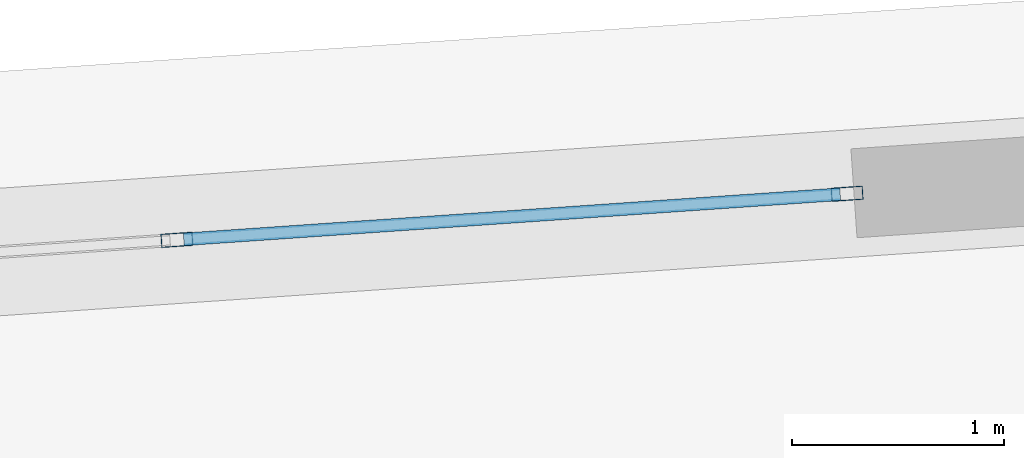
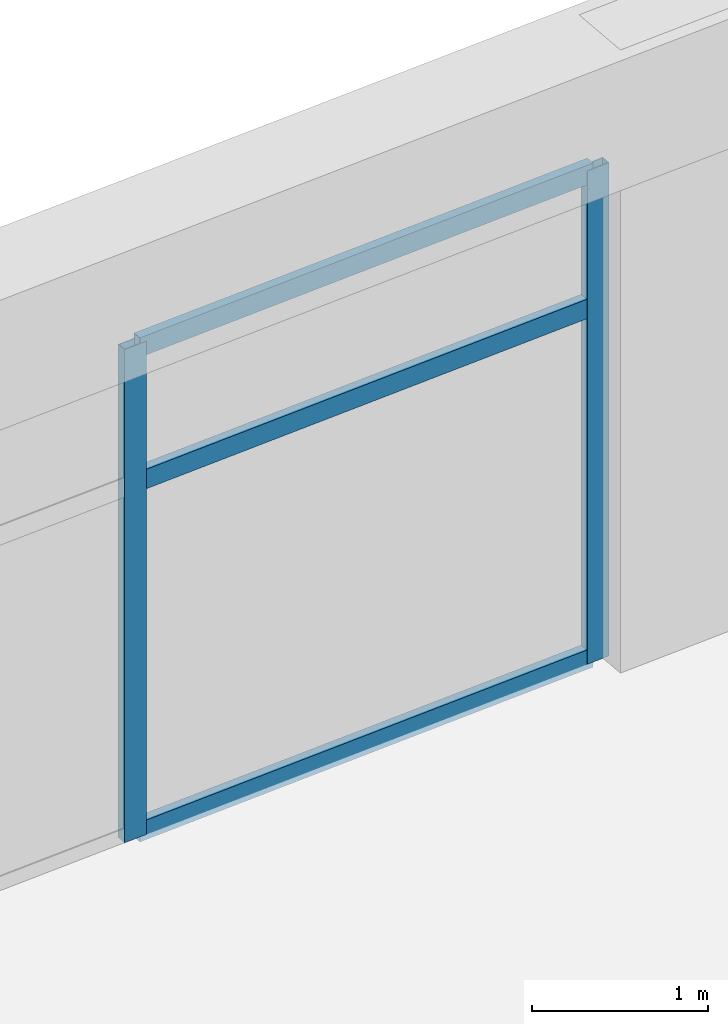
# One storey, part 20 of 30: 5 members, 1 element without a shape of its own.
"""IFC4 building model written with IfcOpenShell, lengths in metres."""

import ifcopenshell
import ifcopenshell.guid

model = None  # the IFC model being written
_history = None  # IfcOwnerHistory: only IFC2X3 demands one
_inside = {}  # id of a spatial element -> (the spatial element, [elements in it])
_under = {}  # id of a project, library or spatial element -> (it, [spatial elements below it])
_declared = {}  # id of a project -> (the project, [libraries it declares])
_typed = {}  # id of a type object -> (the type object, [elements of that type])
_made_of = {}  # id of a material, layer set ... -> (it, [elements and type objects made of it])


def new_model(schema):
    """Start an empty IFC model of exactly this schema.

    Asked for "IFC4X3", IfcOpenShell would pick the latest addendum, in which some entities
    have other attributes; the version numbers below select the first issue.
    IFC2X3 requires an IfcOwnerHistory on every rooted entity: one is made here for all.
    """
    global model, _history
    if schema == "IFC4X3":
        model = ifcopenshell.file(schema_version=(4, 3, 0, 0))
    else:
        model = ifcopenshell.file(schema=schema)
    _inside.clear()
    _under.clear()
    _declared.clear()
    _typed.clear()
    _made_of.clear()
    _history = None
    if model.schema == "IFC2X3":
        org = make("IfcOrganization", Name="unknown")
        user = make(
            "IfcPersonAndOrganization",
            ThePerson=make("IfcPerson", FamilyName="unknown"),
            TheOrganization=org,
        )
        app = make(
            "IfcApplication",
            ApplicationDeveloper=org,
            Version="unknown",
            ApplicationFullName="unknown",
            ApplicationIdentifier="unknown",
        )
        _history = make(
            "IfcOwnerHistory",
            OwningUser=user,
            OwningApplication=app,
            ChangeAction="ADDED",
            CreationDate=0,
        )
    return model


def make(cls, **values):
    """One entity of the class cls with the attributes given. An attribute that is None is left unset."""
    return model.create_entity(
        cls, **{name: value for name, value in values.items() if value is not None}
    )


def rooted(cls, **values):
    """An entity with a GlobalId (a new one), such as an element, a storey or a relation."""
    return make(cls, GlobalId=ifcopenshell.guid.new(), OwnerHistory=_history, **values)


def si_unit(unit_type, name, prefix=None):
    """IfcSIUnit, for example si_unit("LENGTHUNIT", "METRE", prefix="MILLI")."""
    return make("IfcSIUnit", UnitType=unit_type, Prefix=prefix, Name=name)


def assignment(units):
    """IfcUnitAssignment: the units of a project."""
    return None if units is None else make("IfcUnitAssignment", Units=units)


def point(xyz):
    """IfcCartesianPoint."""
    return None if xyz is None else make("IfcCartesianPoint", Coordinates=xyz)


def direction(xyz):
    """IfcDirection."""
    return None if xyz is None else make("IfcDirection", DirectionRatios=xyz)


def frame(location, z_axis=None, x_axis=None):
    """IfcAxis2Placement3D, a coordinate frame: its origin and axes. An axis left out is left unset."""
    return make(
        "IfcAxis2Placement3D",
        Location=point(location),
        Axis=direction(z_axis),
        RefDirection=direction(x_axis),
    )


def frame_2d(location, x_axis=None):
    """IfcAxis2Placement2D, a coordinate frame in the plane: its origin and x axis."""
    return make(
        "IfcAxis2Placement2D", Location=point(location), RefDirection=direction(x_axis)
    )


def origin():
    """The frame at (0, 0, 0) with its axes left unset."""
    return frame((0.0, 0.0, 0.0))


def origin_2d():
    """The frame at (0, 0) in the plane with its x axis left unset."""
    return frame_2d((0.0, 0.0))


def place(relative_to, where):
    """IfcLocalPlacement: puts the frame where relative to a parent placement (None: the world)."""
    return make(
        "IfcLocalPlacement", PlacementRelTo=relative_to, RelativePlacement=where
    )


def context(
    kind, dimensions, precision=None, world=None, true_north=None, identifier=None
):
    """IfcGeometricRepresentationContext, for example the 3D "Model" context."""
    return make(
        "IfcGeometricRepresentationContext",
        ContextIdentifier=identifier,
        ContextType=kind,
        CoordinateSpaceDimension=dimensions,
        Precision=precision,
        WorldCoordinateSystem=world,
        TrueNorth=true_north,
    )


def subcontext(parent, identifier, kind, view, scale=None):
    """IfcGeometricRepresentationSubContext, for example "Body" below "Model"."""
    return make(
        "IfcGeometricRepresentationSubContext",
        ContextIdentifier=identifier,
        ContextType=kind,
        ParentContext=parent,
        TargetScale=scale,
        TargetView=view,
    )


def project(units=None, contexts=None):
    """IfcProject with its units and contexts."""
    return rooted(
        "IfcProject",
        Name="project",
        RepresentationContexts=contexts,
        UnitsInContext=assignment(units),
    )


def spatial(cls, under=None, at=None, **own):
    """A site, building, storey or space (cls), placed at a placement, below another one or the project."""
    s = rooted(cls, ObjectPlacement=at, **own)
    if under is not None:
        _under.setdefault(under.id(), (under, []))[1].append(s)
    return s


def profile(cls, at=None, kind="AREA", **sizes):
    """A parametric profile (cls). Its sizes go by their IFC names, for example OverallWidth=200.0."""
    return make(cls, ProfileType=kind, Position=at, **sizes)


def hollow_rectangle(**sizes):
    """IfcRectangleHollowProfileDef."""
    return profile("IfcRectangleHollowProfileDef", **sizes)


def extrude(swept, where, along, depth):
    """IfcExtrudedAreaSolid: the profile swept, set in the frame where, extruded along a direction by depth."""
    return make(
        "IfcExtrudedAreaSolid",
        SweptArea=swept,
        Position=where,
        ExtrudedDirection=direction(along),
        Depth=depth,
    )


def shape(context_of_items, identifier, shape_type, items):
    """IfcShapeRepresentation: the items that make up one representation, for example the "Body"."""
    return make(
        "IfcShapeRepresentation",
        ContextOfItems=context_of_items,
        RepresentationIdentifier=identifier,
        RepresentationType=shape_type,
        Items=items,
    )


def source(mapping_origin, context_of_items, identifier, shape_type, items):
    """IfcRepresentationMap: a shape defined once, which mapped items show again and again."""
    return make(
        "IfcRepresentationMap",
        MappingOrigin=mapping_origin,
        MappedRepresentation=shape(context_of_items, identifier, shape_type, items),
    )


def transform(
    local_origin,
    x_axis=None,
    y_axis=None,
    z_axis=None,
    scale=None,
    scale2=None,
    scale3=None,
    uniform=True,
):
    """IfcCartesianTransformationOperator3D, or its non-uniform kind. x_axis, y_axis, z_axis: its Axis1, 2, 3."""
    if uniform:
        return make(
            "IfcCartesianTransformationOperator3D",
            Axis1=direction(x_axis),
            Axis2=direction(y_axis),
            LocalOrigin=point(local_origin),
            Scale=scale,
            Axis3=direction(z_axis),
        )
    return make(
        "IfcCartesianTransformationOperator3DnonUniform",
        Axis1=direction(x_axis),
        Axis2=direction(y_axis),
        LocalOrigin=point(local_origin),
        Scale=scale,
        Axis3=direction(z_axis),
        Scale2=scale2,
        Scale3=scale3,
    )


def mapped(mapping_source, mapping_target):
    """IfcMappedItem: shows the shape of a source again, moved by a transform."""
    return make(
        "IfcMappedItem", MappingSource=mapping_source, MappingTarget=mapping_target
    )


def material(Name=None, Category=None):
    """IfcMaterial."""
    return make("IfcMaterial", Name=Name, Category=Category)


def layer(
    of_material, thickness, ventilated=None, Name=None, Category=None, Priority=None
):
    """IfcMaterialLayer: one layer of a wall or slab, of a material (None: an air gap)."""
    return make(
        "IfcMaterialLayer",
        Material=of_material,
        LayerThickness=thickness,
        IsVentilated=ventilated,
        Name=Name,
        Category=Category,
        Priority=Priority,
    )


def layer_set(layers, Name=None):
    """IfcMaterialLayerSet."""
    return make("IfcMaterialLayerSet", MaterialLayers=layers, LayerSetName=Name)


def material_profile(
    of_material, cross_section, Name=None, Category=None, Priority=None
):
    """IfcMaterialProfile: a cross section and its material."""
    return make(
        "IfcMaterialProfile",
        Name=Name,
        Material=of_material,
        Profile=cross_section,
        Priority=Priority,
        Category=Category,
    )


def profile_set(profiles, Name=None, composite=None):
    """IfcMaterialProfileSet."""
    return make(
        "IfcMaterialProfileSet",
        Name=Name,
        MaterialProfiles=profiles,
        CompositeProfile=composite,
    )


def made_of(thing, what):
    """Note that an element or type object is made of a material, layer set ...; save() writes the relation."""
    if what is not None:
        _made_of.setdefault(what.id(), (what, []))[1].append(thing)
    return thing


def type_object(cls, material=None, **own):
    """A type object (cls), such as IfcWallType, which elements share."""
    return made_of(rooted(cls, **own), material)


def element(
    cls,
    number,
    at=None,
    inside=None,
    cuts=None,
    type_object=None,
    material=None,
    context=None,
    identifier="Body",
    shape_type=None,
    held_by="IfcProductDefinitionShape",
    body=None,
    shapes=None,
    **own,
):
    """One element of the class cls, such as IfcWall. Its Tag is "e" and its number.

    at: its placement. inside: the storey or other place that contains it. cuts: it is an
    opening in that element (IfcRelVoidsElement). A single representation is given by context,
    identifier, shape_type and body (its items); several are given by shapes. held_by: the class
    of the entity that holds the representations. save() writes the other relations.
    """
    e = rooted(cls, Tag="e%d" % number, ObjectPlacement=at, **own)
    if body is not None:
        shapes = [shape(context, identifier, shape_type, body)]
    if shapes is not None:
        e.Representation = make(held_by, Representations=shapes)
    if inside is not None:
        _inside.setdefault(inside.id(), (inside, []))[1].append(e)
    if cuts is not None:
        rooted(
            "IfcRelVoidsElement", RelatingBuildingElement=cuts, RelatedOpeningElement=e
        )
    if type_object is not None:
        _typed.setdefault(type_object.id(), (type_object, []))[1].append(e)
    return made_of(e, material)


def aggregate(whole, parts):
    """IfcRelAggregates: a whole, such as a stair, and the parts it consists of."""
    return rooted("IfcRelAggregates", RelatingObject=whole, RelatedObjects=parts)


def save(model, path):
    """Write the relations noted so far, then the file.

    IfcRelAggregates (storeys below a building ...), IfcRelContainedInSpatialStructure (elements
    in a storey), IfcRelDefinesByType, IfcRelAssociatesMaterial and IfcRelDeclares: one each for
    every whole, place, type object, material and project.
    """
    for whole, parts in _under.values():
        aggregate(whole, parts)
    for where, things in _inside.values():
        rooted(
            "IfcRelContainedInSpatialStructure",
            RelatedElements=things,
            RelatingStructure=where,
        )
    for kind, things in _typed.values():
        rooted("IfcRelDefinesByType", RelatedObjects=things, RelatingType=kind)
    for what, things in _made_of.values():
        rooted("IfcRelAssociatesMaterial", RelatedObjects=things, RelatingMaterial=what)
    for by, libraries in _declared.values():
        rooted("IfcRelDeclares", RelatingContext=by, RelatedDefinitions=libraries)
    model.write(path)


model = new_model("IFC4")

# Units and contexts
model_context = context("Model", 3, precision=1e-05, world=origin(), true_north=direction((0.0, 1.0)))
body_context = subcontext(model_context, "Body", "Model", "MODEL_VIEW")
ifc_project = project(units=[si_unit("LENGTHUNIT", "METRE"), si_unit("AREAUNIT", "SQUARE_METRE"), si_unit("VOLUMEUNIT", "CUBIC_METRE"), si_unit("PLANEANGLEUNIT", "RADIAN"), si_unit("MASSUNIT", "GRAM", prefix="KILO")], contexts=[model_context])

# Site, building, storey
site_placement = place(None, origin())
site = spatial("IfcSite", under=ifc_project, at=site_placement, CompositionType="ELEMENT")
building_placement = place(site_placement, origin())
building = spatial("IfcBuilding", under=site, at=building_placement, Name="Liaohun Quay Tower", CompositionType="ELEMENT")
storey_placement = place(building_placement, frame((0.0, 0.0, 97.5)))
storey = spatial("IfcBuildingStorey", under=building, at=storey_placement, Name="L25", CompositionType="ELEMENT", Elevation=97.5)

# Curtain wall, members
ifc_material_1 = material(Name="Low-rise sky-lobby belvedere curtain wall")
ifc_layer = layer(ifc_material_1, 0.199951171875, Name="Low-rise sky-lobby belvedere curtain wall")
ifc_layer_set = layer_set([ifc_layer], Name="Low-rise sky-lobby belvedere curtain wall")
curtain_wall_type = type_object("IfcCurtainWallType", Name="CW-SKY-L25", PredefinedType="NOTDEFINED", material=ifc_layer_set)
curtain_wall_placement = place(storey_placement, origin())
curtain_wall = element("IfcCurtainWall", 1, at=curtain_wall_placement, inside=storey, type_object=curtain_wall_type, Name="L25 Panoramic Belvedere Curtain Wall 04", PredefinedType="NOTDEFINED")
ifc_material_2 = material(Name="Anodised aluminium 6063-T6", Category="aluminium")
ifc_material_profile_1 = material_profile(ifc_material_2, hollow_rectangle(XDim=0.06494140625, YDim=0.14990234375, WallThickness=0.00390625, at=origin_2d()), Name="RHS150x65x4")
ifc_profile_set_1 = profile_set([ifc_material_profile_1], Name="Anodised aluminium 6063-T6")
member_type_1 = type_object("IfcMemberType", Name="MEM-CWM-SKY", PredefinedType="MULLION", material=ifc_profile_set_1)
shared_shape_1 = source(origin(), body_context, "Body", "SweptSolid", [
    extrude(hollow_rectangle(XDim=0.06494140625, YDim=0.14990234375, WallThickness=0.00390625, at=origin_2d()), origin(), (0.0, 0.0, 1.0), 3.419921875),
])
member_1_placement = place(storey_placement, frame((46.1865234375, 80.19384765625, 0.0), z_axis=(0.0, 0.0, 1.0), x_axis=(0.068592957908, -0.997644729413, 0.0)))
member_1 = element("IfcMember", 2, at=member_1_placement, type_object=member_type_1, Name="CW3 mullion 1", PredefinedType="MULLION", context=body_context, shape_type="MappedRepresentation", body=[
    mapped(shared_shape_1, transform((0.0, 0.0, 0.0), x_axis=(1.0, 0.0, 0.0), y_axis=(0.0, 1.0, 0.0), z_axis=(0.0, 0.0, 1.0), scale=1.0)),
])
member_2_placement = place(storey_placement, frame((43.026611328125, 79.9765625, 0.0), z_axis=(0.0, 0.0, 1.0), x_axis=(0.068592957908, -0.997644729413, 0.0)))
member_2 = element("IfcMember", 3, at=member_2_placement, type_object=member_type_1, Name="CW3 mullion 2", PredefinedType="MULLION", context=body_context, shape_type="MappedRepresentation", body=[
    mapped(shared_shape_1, transform((0.0, 0.0, 0.0), x_axis=(1.0, 0.0, 0.0), y_axis=(0.0, 1.0, 0.0), z_axis=(0.0, 0.0, 1.0), scale=1.0)),
])
ifc_material_profile_2 = material_profile(ifc_material_2, hollow_rectangle(XDim=0.06005859375, YDim=0.135009765625, WallThickness=0.00390625, at=origin_2d()), Name="RHS135x60x4")
ifc_profile_set_2 = profile_set([ifc_material_profile_2], Name="Anodised aluminium 6063-T6")
member_type_2 = type_object("IfcMemberType", Name="MEM-CWT-SKY", PredefinedType="USERDEFINED", material=ifc_profile_set_2)
shared_shape_2 = source(origin(), body_context, "Body", "SweptSolid", [
    extrude(hollow_rectangle(XDim=0.06005859375, YDim=0.135009765625, WallThickness=0.00390625, at=origin_2d()), origin(), (0.0, 0.0, 1.0), 3.1025390625),
])
member_3_placement = place(storey_placement, frame((46.154052734375, 80.191650390625, 0.030029296875), z_axis=(-0.997642976562, -0.068618447355, 0.0), x_axis=(0.068618447355, -0.997642976562, 0.0)))
member_3 = element("IfcMember", 4, at=member_3_placement, type_object=member_type_2, Name="CW3 transom 1.1", ObjectType="TRANSOM", PredefinedType="USERDEFINED", context=body_context, shape_type="MappedRepresentation", body=[
    mapped(shared_shape_2, transform((0.0, 0.0, 0.0), x_axis=(1.0, 0.0, 0.0), y_axis=(0.0, 1.0, 0.0), z_axis=(0.0, 0.0, 1.0), scale=1.0)),
])
member_4_placement = place(storey_placement, frame((46.154052734375, 80.191650390625, 2.4619140625), z_axis=(-0.997642976562, -0.068618447355, 0.0), x_axis=(0.068618447355, -0.997642976562, 0.0)))
member_4 = element("IfcMember", 5, at=member_4_placement, type_object=member_type_2, Name="CW3 transom 1.2", ObjectType="TRANSOM", PredefinedType="USERDEFINED", context=body_context, shape_type="MappedRepresentation", body=[
    mapped(shared_shape_2, transform((0.0, 0.0, 0.0), x_axis=(1.0, 0.0, 0.0), y_axis=(0.0, 1.0, 0.0), z_axis=(0.0, 0.0, 1.0), scale=1.0)),
])
member_5_placement = place(storey_placement, frame((46.154052734375, 80.191650390625, 3.389892578125), z_axis=(-0.997642976562, -0.068618447355, 0.0), x_axis=(0.068618447355, -0.997642976562, 0.0)))
member_5 = element("IfcMember", 6, at=member_5_placement, type_object=member_type_2, Name="CW3 transom 1.3", ObjectType="TRANSOM", PredefinedType="USERDEFINED", context=body_context, shape_type="MappedRepresentation", body=[
    mapped(shared_shape_2, transform((0.0, 0.0, 0.0), x_axis=(1.0, 0.0, 0.0), y_axis=(0.0, 1.0, 0.0), z_axis=(0.0, 0.0, 1.0), scale=1.0)),
])
aggregate(curtain_wall, [member_1, member_2, member_3, member_4, member_5])

save(model, "model.ifc")
